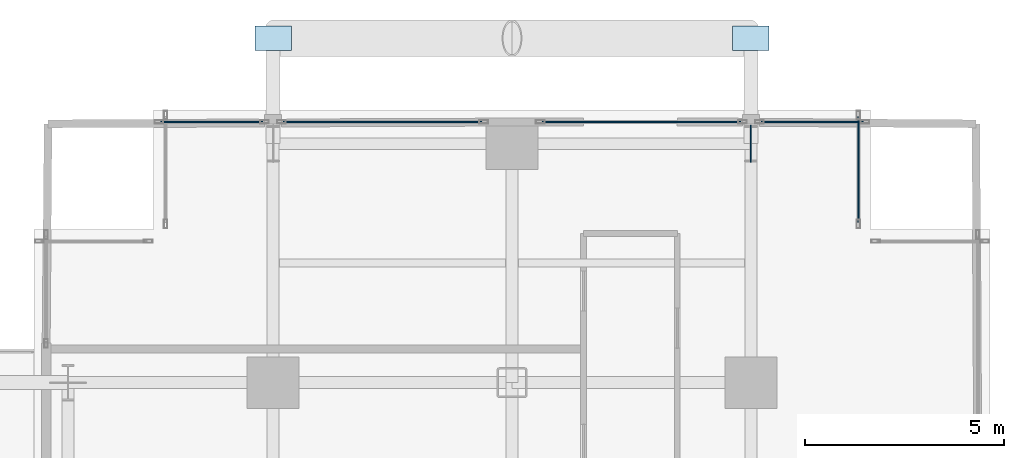
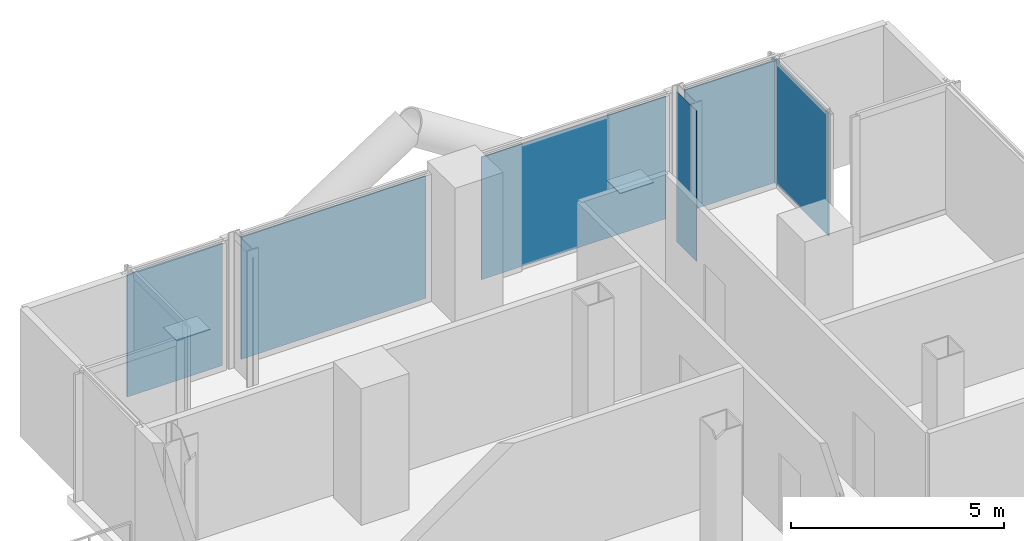
# One storey, part 18 of 27: 8 plates, 5 elements without a shape of their own.
"""IFC4 building model written with IfcOpenShell, lengths in metres."""

from ifc_helpers import new_model, si_unit, direction, frame, origin, origin_2d, place, context, subcontext, project, spatial, rectangle, extrude, material, layer, layer_set, type_object, element, aggregate, save


model = new_model("IFC4")

# Units and contexts
model_context = context("Model", 3, precision=1e-05, world=origin(), true_north=direction((0.0, 1.0)))
body_context = subcontext(model_context, "Body", "Model", "MODEL_VIEW")
ifc_project = project(units=[si_unit("LENGTHUNIT", "METRE"), si_unit("AREAUNIT", "SQUARE_METRE"), si_unit("VOLUMEUNIT", "CUBIC_METRE"), si_unit("PLANEANGLEUNIT", "RADIAN"), si_unit("MASSUNIT", "GRAM", prefix="KILO"), si_unit("THERMODYNAMICTEMPERATUREUNIT", "KELVIN"), si_unit("POWERUNIT", "WATT")], contexts=[model_context])

# Site, building, storey
site_placement = place(None, origin())
site = spatial("IfcSite", under=ifc_project, at=site_placement, CompositionType="ELEMENT")
building_placement = place(site_placement, origin())
building = spatial("IfcBuilding", under=site, at=building_placement, Name="Svarakhadi Broadcast Tower", CompositionType="ELEMENT")
storey_placement = place(building_placement, frame((0.0, 0.0, 71.39990234375)))
storey = spatial("IfcBuildingStorey", under=building, at=storey_placement, Name="L16", CompositionType="ELEMENT", Elevation=71.39990234375)

# Curtain wall, plate
ifc_material_1 = material(Name="Anodised Bronze Aluminium AA 6063-T6", Category="aluminium")
ifc_layer_1 = layer(ifc_material_1, 0.219970703125)
ifc_layer_set_1 = layer_set([ifc_layer_1], Name="Anodised Bronze Aluminium AA 6063-T6")
curtain_wall_type = type_object("IfcCurtainWallType", Name="CW_Sys_02", PredefinedType="NOTDEFINED", material=ifc_layer_set_1)
curtain_wall_1_placement = place(storey_placement, origin())
curtain_wall_1 = element("IfcCurtainWall", 1, at=curtain_wall_1_placement, inside=storey, type_object=curtain_wall_type, Name="L16 Unitised Facade Curtain Wall 06 Bay 1", PredefinedType="NOTDEFINED")
ifc_material_2 = material(Name="Double Low-E Laminated Acoustic Glass IGU 36 mm", Category="glass")
ifc_layer_2 = layer(ifc_material_2, 0.035888671875)
ifc_layer_set_2 = layer_set([ifc_layer_2], Name="Double Low-E Laminated Acoustic Glass IGU 36 mm")
plate_type_1 = type_object("IfcPlateType", Name="CW_Sys_02_Pnl", PredefinedType="CURTAIN_PANEL", material=ifc_layer_set_2)
plate_1_placement = place(storey_placement, frame((4.4599609375, 47.699951171875, 0.0751953125), z_axis=(0.0, 0.0, 1.0), x_axis=(1.0, 0.0, 0.0)))
plate_1 = element("IfcPlate", 2, at=plate_1_placement, type_object=plate_type_1, Name="CW-02 panel 1.1", PredefinedType="CURTAIN_PANEL", context=body_context, shape_type="SweptSolid", body=[
    extrude(rectangle(XDim=2.570068359375, YDim=0.035888671875, at=origin_2d()), origin(), (0.0, 0.0, 1.0), 3.5),
])
aggregate(curtain_wall_1, [plate_1])

curtain_wall_2_placement = place(storey_placement, origin())
curtain_wall_2 = element("IfcCurtainWall", 3, at=curtain_wall_2_placement, inside=storey, type_object=curtain_wall_type, Name="L16 Unitised Facade Curtain Wall 06 Bay 2", PredefinedType="NOTDEFINED")
plate_2_placement = place(storey_placement, frame((8.75, 47.699951171875, 0.0751953125), z_axis=(0.0, 0.0, 1.0), x_axis=(1.0, 0.0, 0.0)))
plate_2 = element("IfcPlate", 4, at=plate_2_placement, type_object=plate_type_1, Name="CW-02 panel 1.1", PredefinedType="CURTAIN_PANEL", context=body_context, shape_type="SweptSolid", body=[
    extrude(rectangle(XDim=4.989990234375, YDim=0.035888671875, at=origin_2d()), origin(), (0.0, 0.0, 1.0), 3.5),
])
aggregate(curtain_wall_2, [plate_2])

curtain_wall_3_placement = place(storey_placement, origin())
curtain_wall_3 = element("IfcCurtainWall", 5, at=curtain_wall_3_placement, inside=storey, type_object=curtain_wall_type, Name="L16 Unitised Facade Curtain Wall 06 Bay 3", PredefinedType="NOTDEFINED")
plate_3_placement = place(storey_placement, frame((15.25, 47.699951171875, 0.0751953125), z_axis=(0.0, 0.0, 1.0), x_axis=(1.0, 0.0, 0.0)))
plate_3 = element("IfcPlate", 6, at=plate_3_placement, type_object=plate_type_1, Name="CW-02 panel 1.1", PredefinedType="CURTAIN_PANEL", context=body_context, shape_type="SweptSolid", body=[
    extrude(rectangle(XDim=4.989990234375, YDim=0.035888671875, at=origin_2d()), origin(), (0.0, 0.0, 1.0), 3.5),
])
aggregate(curtain_wall_3, [plate_3])

curtain_wall_4_placement = place(storey_placement, origin())
curtain_wall_4 = element("IfcCurtainWall", 7, at=curtain_wall_4_placement, inside=storey, type_object=curtain_wall_type, Name="L16 Unitised Facade Curtain Wall 06 Bay 4", PredefinedType="NOTDEFINED")
plate_4_placement = place(storey_placement, frame((19.5400390625, 47.699951171875, 0.0751953125), z_axis=(0.0, 0.0, 1.0), x_axis=(1.0, 0.0, 0.0)))
plate_4 = element("IfcPlate", 8, at=plate_4_placement, type_object=plate_type_1, Name="CW-02 panel 1.1", PredefinedType="CURTAIN_PANEL", context=body_context, shape_type="SweptSolid", body=[
    extrude(rectangle(XDim=2.570068359375, YDim=0.035888671875, at=origin_2d()), origin(), (0.0, 0.0, 1.0), 3.5),
])
aggregate(curtain_wall_4, [plate_4])

curtain_wall_5_placement = place(storey_placement, origin())
curtain_wall_5 = element("IfcCurtainWall", 9, at=curtain_wall_5_placement, inside=storey, type_object=curtain_wall_type, Name="L16 Unitised Facade Curtain Wall 07", PredefinedType="NOTDEFINED")
plate_5_placement = place(storey_placement, frame((20.699951171875, 46.5, 0.0751953125), z_axis=(0.0, 0.0, 1.0), x_axis=(0.0, -1.0, 0.0)))
plate_5 = element("IfcPlate", 10, at=plate_5_placement, type_object=plate_type_1, Name="CW-02 panel 1.1", PredefinedType="CURTAIN_PANEL", context=body_context, shape_type="SweptSolid", body=[
    extrude(rectangle(XDim=2.64990234375, YDim=0.035888671875, at=origin_2d()), origin(), (0.0, 0.0, 1.0), 3.5),
])
aggregate(curtain_wall_5, [plate_5])

# Plates
ifc_material_3 = material(Name="Steel S460ML (IS 2062 E450BR)", Category="steel")
ifc_layer_3 = layer(ifc_material_3, 0.02587890625)
ifc_layer_set_3 = layer_set([ifc_layer_3], Name="Steel S460ML (IS 2062 E450BR)")
plate_type_2 = type_object("IfcPlateType", Name="Node_Gusset_N07", PredefinedType="SHEET", material=ifc_layer_set_3)
for number, where, z_axis, x_axis, name in (
    (11, (6.0, 49.800048828125, -0.249755859375), (0.0, 0.0, 1.0), (1.0, 0.0, 0.0), "L16 Exoskeleton Gusset Node Plate N11"),
    (12, (18.0, 49.800048828125, -0.249755859375), (0.0, 0.0, 1.0), (1.0, 0.0, 0.0), "L16 Exoskeleton Gusset Node Plate N12"),
):
    element("IfcPlate", number, at=place(storey_placement, frame(where, z_axis=z_axis, x_axis=x_axis)), inside=storey, type_object=plate_type_2, Name=name, PredefinedType="SHEET", context=body_context, shape_type="SweptSolid", body=[
        extrude(rectangle(XDim=0.919921875, YDim=0.6201171875, at=origin_2d()), origin(), (0.0, 0.0, 1.0), 0.02587890625),
    ])
plate_6_placement = place(storey_placement, frame((18.0, 47.14990234375, -0.6279296875), z_axis=(0.0, 0.0, 1.0), x_axis=(0.0, 1.0, 0.0)))
element("IfcPlate", 13, at=plate_6_placement, inside=storey, type_object=plate_type_2, Name="L16 Brace End Connection Gusset Plate N-07-E0121", PredefinedType="SHEET", context=body_context, shape_type="SweptSolid", body=[
    extrude(rectangle(XDim=0.919921875, YDim=0.02587890625, at=origin_2d()), origin(), (0.0, 0.0, 1.0), 4.300048828125),
])

save(model, "model.ifc")
